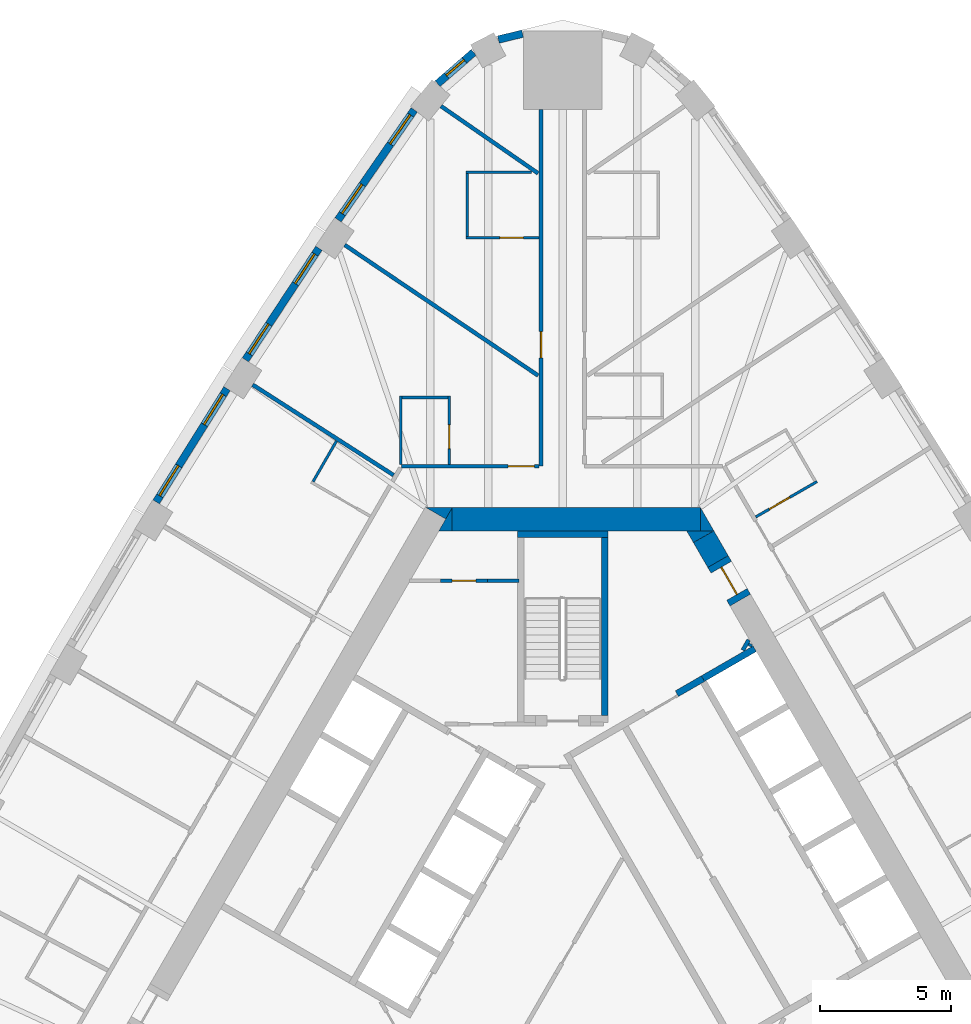
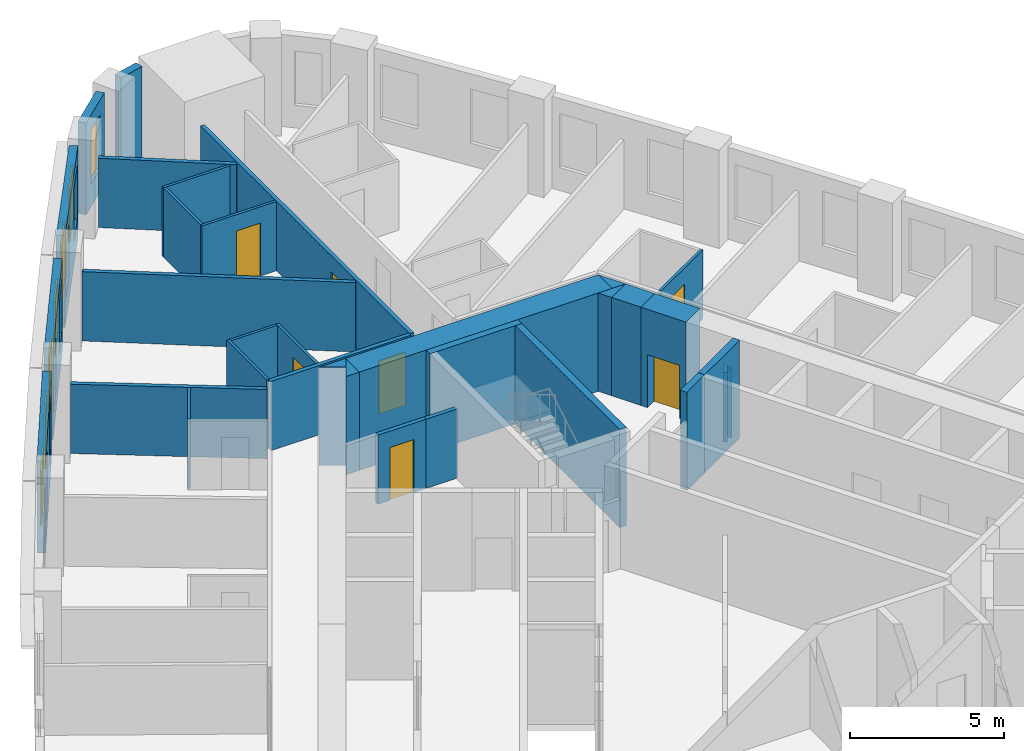
# One storey, part 10 of 13: 33 walls, 7 doors, 7 windows, 14 openings.
"""IFC4 building model written with IfcOpenShell, lengths in metres."""

from ifc_helpers import new_model, si_unit, direction, frame, frame_2d, origin, place, context, subcontext, project, spatial, polyline, rectangle, outline, extrude, material, layer, layer_set, type_object, element, fill, save


model = new_model("IFC4")

# Units and contexts
model_context = context("Model", 3, precision=1e-05, world=origin(), true_north=direction((0.0, 1.0)))
body_context = subcontext(model_context, "Body", "Model", "MODEL_VIEW")
ifc_project = project(units=[si_unit("LENGTHUNIT", "METRE"), si_unit("AREAUNIT", "SQUARE_METRE"), si_unit("VOLUMEUNIT", "CUBIC_METRE"), si_unit("PLANEANGLEUNIT", "RADIAN"), si_unit("MASSUNIT", "GRAM", prefix="KILO")], contexts=[model_context])

# Site, building, storey
site_placement = place(None, origin())
site = spatial("IfcSite", under=ifc_project, at=site_placement, CompositionType="ELEMENT")
building_placement = place(site_placement, origin())
building = spatial("IfcBuilding", under=site, at=building_placement, Name="Mestral Congress Tower", CompositionType="ELEMENT")
storey_placement = place(building_placement, frame((0.0, 0.0, 87.60009765625)))
storey = spatial("IfcBuildingStorey", under=building, at=storey_placement, Name="L20", CompositionType="ELEMENT", Elevation=87.60009765625)

# Walls
ifc_material_1 = material(Name="Fire-rated board partition")
ifc_layer_1 = layer(ifc_material_1, 0.14990234375)
ifc_layer_set_1 = layer_set([ifc_layer_1], Name="Fire-rated board partition")
wall_type_1 = type_object("IfcWallType", Name="Core partition 150", PredefinedType="PARTITIONING", material=ifc_layer_set_1)
wall_1_placement = place(storey_placement, frame((-2.87060546875, 14.10205078125, 0.0), z_axis=(0.0, 0.0, 1.0), x_axis=(1.0, 0.0, 0.0)))
element("IfcWall", 1, at=wall_1_placement, inside=storey, type_object=wall_type_1, Name="L20 core wall", PredefinedType="PARTITIONING", context=body_context, shape_type="SweptSolid", body=[
    extrude(rectangle(XDim=1.195556640625, YDim=0.14990234375, at=frame_2d((0.59765625, 0.0))), origin(), (0.0, 0.0, 1.0), 2.75),
])
wall_2_placement = place(storey_placement, frame((6.87158203125, 11.44970703125, 0.0), z_axis=(0.0, 0.0, 1.0), x_axis=(0.499846793097, 0.866113839764, 0.0)))
element("IfcWall", 2, at=wall_2_placement, inside=storey, type_object=wall_type_1, Name="L20 core wall", PredefinedType="PARTITIONING", context=body_context, shape_type="SweptSolid", body=[
    extrude(rectangle(XDim=0.453369140625, YDim=0.14990234375, at=frame_2d((0.2265625, 0.0))), origin(), (0.0, 0.0, 1.0), 2.75),
])
wall_3_placement = place(storey_placement, frame((7.13134765625, 11.599609375, 0.0), z_axis=(0.0, 0.0, 1.0), x_axis=(0.498600033135, 0.866832167699, 0.0)))
element("IfcWall", 3, at=wall_3_placement, inside=storey, type_object=wall_type_1, Name="L20 core wall", PredefinedType="PARTITIONING", context=body_context, shape_type="SweptSolid", body=[
    extrude(rectangle(XDim=0.106689453125, YDim=0.14990234375, at=frame_2d((0.05322265625, 0.0))), origin(), (0.0, 0.0, 1.0), 2.75),
])

# Wall, opening, door
wall_4_placement = place(storey_placement, frame((-2.870849609375, 14.10205078125, 0.0), z_axis=(0.0, 0.0, 1.0), x_axis=(-1.0, 0.0, 0.0)))
wall_4 = element("IfcWall", 4, at=wall_4_placement, inside=storey, type_object=wall_type_1, Name="L20 door wall", PredefinedType="PARTITIONING", context=body_context, shape_type="SweptSolid", body=[
    extrude(rectangle(XDim=1.800048828125, YDim=0.14990234375, at=frame_2d((0.89990234375, 0.0))), origin(), (0.0, 0.0, 1.0), 2.75),
])
opening_1_placement = place(wall_4_placement, frame((0.449951171875, 0.0, 0.0)))
opening_1 = element("IfcOpeningElement", 5, at=opening_1_placement, cuts=wall_4, Name="Opening SD-WS2", PredefinedType="OPENING", context=body_context, shape_type="SweptSolid", body=[
    extrude(rectangle(XDim=0.89990234375, YDim=2.10009765625, at=frame_2d((0.449951171875, 1.050048828125))), frame((0.0, 0.0849609375, 0.0), z_axis=(0.0, -1.0, 0.0), x_axis=(1.0, 0.0, 0.0)), (0.0, 0.0, 1.0), 0.169921875),
])
ifc_material_2 = material(Name="Fire-rated steel door set", Category="steel")
door_type_1 = type_object("IfcDoorType", Name="Core door SR 900x2100", OperationType="SINGLE_SWING_LEFT", PredefinedType="DOOR", material=ifc_material_2)
door_1_placement = place(opening_1_placement, origin())
door_1 = element("IfcDoor", 6, at=door_1_placement, inside=storey, type_object=door_type_1, Name="Door SD-WS2", OperationType="SINGLE_SWING_LEFT", OverallHeight=2.10009765625, OverallWidth=0.89990234375, PredefinedType="DOOR", context=body_context, shape_type="SweptSolid", body=[
    extrude(rectangle(XDim=0.89990234375, YDim=2.10009765625, at=frame_2d((0.449951171875, 1.050048828125))), frame((0.0, 0.02490234375, 0.0), z_axis=(0.0, -1.0, 0.0), x_axis=(1.0, 0.0, 0.0)), (0.0, 0.0, 1.0), 0.050048828125),
])
fill(opening_1, door_1)

# Walls
ifc_material_3 = material(Name="Concrete C60/75", Category="concrete")
ifc_layer_2 = layer(ifc_material_3, 0.89990234375)
ifc_layer_set_2 = layer_set([ifc_layer_2], Name="Concrete C60/75")
wall_type_2 = type_object("IfcWallType", Name="Core wall RC 900", PredefinedType="SOLIDWALL", material=ifc_layer_set_2)
placement = place(storey_placement, origin())
element("IfcWall", 7, at=placement, inside=storey, type_object=wall_type_2, Name="L20 core wall", PredefinedType="SOLIDWALL", context=body_context, shape_type="SweptSolid", body=[
    extrude(outline(polyline([(-4.214599609375, 16.89990234375), (-4.46875, 16.460205078125), (-5.230712890625, 16.89990234375), (-4.214599609375, 16.89990234375)])), origin(), (0.0, 0.0, 1.0), 3.89990234375),
])
wall_6_placement = place(storey_placement, frame((-4.224365234375, 16.449951171875, 0.0), z_axis=(0.0, 0.0, 1.0), x_axis=(1.0, 0.0, 0.0)))
element("IfcWall", 8, at=wall_6_placement, inside=storey, type_object=wall_type_2, Name="L20 core wall", PredefinedType="SOLIDWALL", context=body_context, shape_type="SweptSolid", body=[
    extrude(rectangle(XDim=9.48779296875, YDim=0.89990234375, at=frame_2d((4.743896484375, 0.0))), origin(), (0.0, 0.0, 1.0), 3.89990234375),
])
element("IfcWall", 9, at=placement, inside=storey, type_object=wall_type_2, Name="L20 core wall", PredefinedType="SOLIDWALL", context=body_context, shape_type="SweptSolid", body=[
    extrude(outline(polyline([(5.265380859375, 16.0), (5.265380859375, 16.8798828125), (5.7734375, 16.0), (5.265380859375, 16.0)])), origin(), (0.0, 0.0, 1.0), 3.89990234375),
])
element("IfcWall", 10, at=placement, inside=storey, type_object=wall_type_2, Name="L20 core wall", PredefinedType="SOLIDWALL", context=body_context, shape_type="SweptSolid", body=[
    extrude(outline(polyline([(-4.734375, 16.0), (-4.226318359375, 16.8798828125), (-4.226318359375, 16.0), (-4.734375, 16.0)])), origin(), (0.0, 0.0, 1.0), 3.89990234375),
])
wall_9_placement = place(storey_placement, frame((5.92578125, 14.836181640625, 0.0), z_axis=(0.0, 0.0, 1.0), x_axis=(-0.500076735116, 0.865981096212, 0.0)))
element("IfcWall", 11, at=wall_9_placement, inside=storey, type_object=wall_type_2, Name="L20 core wall", PredefinedType="SOLIDWALL", context=body_context, shape_type="SweptSolid", body=[
    extrude(rectangle(XDim=1.093505859375, YDim=0.89990234375, at=frame_2d((0.546875, 0.0))), origin(), (0.0, 0.0, 1.0), 3.89990234375),
])
element("IfcWall", 12, at=placement, inside=storey, type_object=wall_type_2, Name="L20 core wall", PredefinedType="SOLIDWALL", context=body_context, shape_type="SweptSolid", body=[
    extrude(outline(polyline([(4.734375, 16.0), (5.750244140625, 16.0), (4.98828125, 15.56005859375), (4.734375, 16.0)])), origin(), (0.0, 0.0, 1.0), 3.89990234375),
])

# Wall, opening, door
wall_11_placement = place(storey_placement, frame((5.92578125, 14.836181640625, 0.0), z_axis=(0.0, 0.0, 1.0), x_axis=(0.500062241894, -0.865989465428, 0.0)))
wall_11 = element("IfcWall", 13, at=wall_11_placement, inside=storey, type_object=wall_type_2, Name="L20 door wall", PredefinedType="SOLIDWALL", context=body_context, shape_type="SweptSolid", body=[
    extrude(rectangle(XDim=1.699951171875, YDim=0.89990234375, at=frame_2d((0.85009765625, 0.0))), origin(), (0.0, 0.0, 1.0), 3.89990234375),
])
opening_2_placement = place(wall_11_placement, frame((0.25, 0.0, 0.0)))
opening_2 = element("IfcOpeningElement", 14, at=opening_2_placement, cuts=wall_11, Name="Opening XD2", PredefinedType="OPENING", context=body_context, shape_type="SweptSolid", body=[
    extrude(rectangle(XDim=1.199951171875, YDim=2.10009765625, at=frame_2d((0.60009765625, 1.050048828125))), frame((0.0, 0.4599609375, 0.0), z_axis=(0.0, -1.0, 0.0), x_axis=(1.0, 0.0, 0.0)), (0.0, 0.0, 1.0), 0.919921875),
])
door_type_2 = type_object("IfcDoorType", Name="Core door XD 1200x2100", OperationType="SINGLE_SWING_LEFT", PredefinedType="DOOR", material=ifc_material_2)
door_2_placement = place(opening_2_placement, origin())
door_2 = element("IfcDoor", 15, at=door_2_placement, inside=storey, type_object=door_type_2, Name="Door XD2", OperationType="SINGLE_SWING_LEFT", OverallHeight=2.10009765625, OverallWidth=1.199951171875, PredefinedType="DOOR", context=body_context, shape_type="SweptSolid", body=[
    extrude(rectangle(XDim=1.199951171875, YDim=2.10009765625, at=frame_2d((0.60009765625, 1.050048828125))), frame((0.0, 0.02490234375, 0.0), z_axis=(0.0, -1.0, 0.0), x_axis=(1.0, 0.0, 0.0)), (0.0, 0.0, 1.0), 0.050048828125),
])
fill(opening_2, door_2)

# Wall
ifc_material_4 = material(Name="Precast concrete C40/50 with limestone facing", Category="masonry")
ifc_layer_3 = layer(ifc_material_4, 0.2900390625)
ifc_layer_set_3 = layer_set([ifc_layer_3], Name="Precast concrete C40/50 with limestone facing")
wall_type_3 = type_object("IfcWallType", Name="Facade stone wall 290", PredefinedType="SOLIDWALL", material=ifc_layer_set_3)
wall_12_placement = place(storey_placement, frame((-1.53515625, 34.9892578125, 0.0), z_axis=(0.0, 0.0, 1.0), x_axis=(-0.971713991574, -0.236160789674, 0.0)))
element("IfcWall", 16, at=wall_12_placement, inside=storey, type_object=wall_type_3, Name="Facade wall K1-2", PredefinedType="SOLIDWALL", context=body_context, shape_type="SweptSolid", body=[
    extrude(rectangle(XDim=0.947021484375, YDim=0.2900390625, at=frame_2d((0.4736328125, 0.0))), origin(), (0.0, 0.0, 1.0), 3.64990234375),
])

# Wall, opening, window
wall_13_placement = place(storey_placement, frame((-3.404541015625, 34.275390625, 0.0), z_axis=(0.0, 0.0, 1.0), x_axis=(-0.754882764627, -0.655859749999, 0.0)))
wall_13 = element("IfcWall", 17, at=wall_13_placement, inside=storey, type_object=wall_type_3, Name="Facade wall K1-3", PredefinedType="SOLIDWALL", context=body_context, shape_type="SweptSolid", body=[
    extrude(rectangle(XDim=1.819580078125, YDim=0.2900390625, at=frame_2d((0.90966796875, 0.0))), origin(), (0.0, 0.0, 1.0), 3.64990234375),
])
opening_3_placement = place(wall_13_placement, frame((0.459716796875, 0.0, 0.89990234375)))
opening_3 = element("IfcOpeningElement", 18, at=opening_3_placement, cuts=wall_13, Name="Opening W3", PredefinedType="OPENING", context=body_context, shape_type="SweptSolid", body=[
    extrude(rectangle(XDim=0.89990234375, YDim=2.14990234375, at=frame_2d((0.449951171875, 1.074951171875))), frame((0.0, 0.155029296875, 0.0), z_axis=(0.0, -1.0, 0.0), x_axis=(1.0, 0.0, 0.0)), (0.0, 0.0, 1.0), 0.31005859375),
])
ifc_material_5 = material(Name="Clear low-emissivity double glazing", Category="glass")
window_type_1 = type_object("IfcWindowType", Name="Facade punched window 900 x 2150 sill 900", PartitioningType="SINGLE_PANEL", PredefinedType="WINDOW", material=ifc_material_5)
window_1_placement = place(opening_3_placement, origin())
window_1 = element("IfcWindow", 19, at=window_1_placement, inside=storey, type_object=window_type_1, Name="Window K1-3", OverallHeight=2.14990234375, OverallWidth=0.89990234375, PartitioningType="SINGLE_PANEL", PredefinedType="WINDOW", context=body_context, shape_type="SweptSolid", body=[
    extrude(rectangle(XDim=0.89990234375, YDim=2.14990234375, at=frame_2d((0.449951171875, 1.074951171875))), frame((0.0, 0.01513671875, 0.0), z_axis=(0.0, -1.0, 0.0), x_axis=(1.0, 0.0, 0.0)), (0.0, 0.0, 1.0), 0.06005859375),
])
fill(opening_3, window_1)

# Wall, openings, windows
wall_14_placement = place(storey_placement, frame((-5.67333984375, 32.0810546875, 0.0), z_axis=(0.0, 0.0, 1.0), x_axis=(-0.569113019126, -0.822259309136, 0.0)))
wall_14 = element("IfcWall", 20, at=wall_14_placement, inside=storey, type_object=wall_type_3, Name="Facade wall F2-00", PredefinedType="SOLIDWALL", context=body_context, shape_type="SweptSolid", body=[
    extrude(rectangle(XDim=5.106689453125, YDim=0.2900390625, at=frame_2d((2.55322265625, 0.0))), origin(), (0.0, 0.0, 1.0), 3.64990234375),
])
opening_4_placement = place(wall_14_placement, frame((0.240478515625, 0.0, 0.89990234375)))
opening_4 = element("IfcOpeningElement", 21, at=opening_4_placement, cuts=wall_14, Name="Opening W2", PredefinedType="OPENING", context=body_context, shape_type="SweptSolid", body=[
    extrude(rectangle(XDim=1.35009765625, YDim=2.14990234375, at=frame_2d((0.675048828125, 1.074951171875))), frame((0.0, 0.155029296875, 0.0), z_axis=(0.0, -1.0, 0.0), x_axis=(1.0, 0.0, 0.0)), (0.0, 0.0, 1.0), 0.31005859375),
])
opening_5_placement = place(wall_14_placement, frame((3.47119140625, 0.0, 0.89990234375)))
opening_5 = element("IfcOpeningElement", 22, at=opening_5_placement, cuts=wall_14, Name="Opening W2", PredefinedType="OPENING", context=body_context, shape_type="SweptSolid", body=[
    extrude(rectangle(XDim=1.35009765625, YDim=2.14990234375, at=frame_2d((0.675048828125, 1.074951171875))), frame((0.0, 0.155029296875, 0.0), z_axis=(0.0, -1.0, 0.0), x_axis=(1.0, 0.0, 0.0)), (0.0, 0.0, 1.0), 0.31005859375),
])
window_type_2 = type_object("IfcWindowType", Name="Facade punched window 1350 x 2150 sill 900", PartitioningType="DOUBLE_PANEL_VERTICAL", PredefinedType="WINDOW", material=ifc_material_5)
window_2_placement = place(opening_4_placement, origin())
window_2 = element("IfcWindow", 23, at=window_2_placement, inside=storey, type_object=window_type_2, Name="Window F2-00a", OverallHeight=2.14990234375, OverallWidth=1.35009765625, PartitioningType="DOUBLE_PANEL_VERTICAL", PredefinedType="WINDOW", context=body_context, shape_type="SweptSolid", body=[
    extrude(rectangle(XDim=1.35009765625, YDim=2.14990234375, at=frame_2d((0.675048828125, 1.074951171875))), frame((0.0, 0.01513671875, 0.0), z_axis=(0.0, -1.0, 0.0), x_axis=(1.0, 0.0, 0.0)), (0.0, 0.0, 1.0), 0.06005859375),
])
fill(opening_4, window_2)
window_3_placement = place(opening_5_placement, origin())
window_3 = element("IfcWindow", 24, at=window_3_placement, inside=storey, type_object=window_type_2, Name="Window F2-00b", OverallHeight=2.14990234375, OverallWidth=1.35009765625, PartitioningType="DOUBLE_PANEL_VERTICAL", PredefinedType="WINDOW", context=body_context, shape_type="SweptSolid", body=[
    extrude(rectangle(XDim=1.35009765625, YDim=2.14990234375, at=frame_2d((0.675048828125, 1.074951171875))), frame((0.0, 0.01513671875, 0.0), z_axis=(0.0, -1.0, 0.0), x_axis=(1.0, 0.0, 0.0)), (0.0, 0.0, 1.0), 0.06005859375),
])
fill(opening_5, window_3)

wall_15_placement = place(storey_placement, frame((-9.310791015625, 26.799072265625, 0.0), z_axis=(0.0, 0.0, 1.0), x_axis=(-0.549741341923, -0.835334937005, 0.0)))
wall_15 = element("IfcWall", 25, at=wall_15_placement, inside=storey, type_object=wall_type_3, Name="Facade wall F2-01", PredefinedType="SOLIDWALL", context=body_context, shape_type="SweptSolid", body=[
    extrude(rectangle(XDim=5.10009765625, YDim=0.2900390625, at=frame_2d((2.550048828125, 0.0))), origin(), (0.0, 0.0, 1.0), 3.64990234375),
])
opening_6_placement = place(wall_15_placement, frame((0.272705078125, 0.0, 0.89990234375)))
opening_6 = element("IfcOpeningElement", 26, at=opening_6_placement, cuts=wall_15, Name="Opening W2", PredefinedType="OPENING", context=body_context, shape_type="SweptSolid", body=[
    extrude(rectangle(XDim=1.35009765625, YDim=2.14990234375, at=frame_2d((0.675048828125, 1.074951171875))), frame((0.0, 0.155029296875, 0.0), z_axis=(0.0, -1.0, 0.0), x_axis=(1.0, 0.0, 0.0)), (0.0, 0.0, 1.0), 0.31005859375),
])
opening_7_placement = place(wall_15_placement, frame((3.477783203125, 0.0, 0.89990234375)))
opening_7 = element("IfcOpeningElement", 27, at=opening_7_placement, cuts=wall_15, Name="Opening W2", PredefinedType="OPENING", context=body_context, shape_type="SweptSolid", body=[
    extrude(rectangle(XDim=1.35009765625, YDim=2.14990234375, at=frame_2d((0.675048828125, 1.074951171875))), frame((0.0, 0.155029296875, 0.0), z_axis=(0.0, -1.0, 0.0), x_axis=(1.0, 0.0, 0.0)), (0.0, 0.0, 1.0), 0.31005859375),
])
window_4_placement = place(opening_6_placement, origin())
window_4 = element("IfcWindow", 28, at=window_4_placement, inside=storey, type_object=window_type_2, Name="Window F2-01a", OverallHeight=2.14990234375, OverallWidth=1.35009765625, PartitioningType="DOUBLE_PANEL_VERTICAL", PredefinedType="WINDOW", context=body_context, shape_type="SweptSolid", body=[
    extrude(rectangle(XDim=1.35009765625, YDim=2.14990234375, at=frame_2d((0.675048828125, 1.074951171875))), frame((0.0, 0.01513671875, 0.0), z_axis=(0.0, -1.0, 0.0), x_axis=(1.0, 0.0, 0.0)), (0.0, 0.0, 1.0), 0.06005859375),
])
fill(opening_6, window_4)
window_5_placement = place(opening_7_placement, origin())
window_5 = element("IfcWindow", 29, at=window_5_placement, inside=storey, type_object=window_type_2, Name="Window F2-01b", OverallHeight=2.14990234375, OverallWidth=1.35009765625, PartitioningType="DOUBLE_PANEL_VERTICAL", PredefinedType="WINDOW", context=body_context, shape_type="SweptSolid", body=[
    extrude(rectangle(XDim=1.35009765625, YDim=2.14990234375, at=frame_2d((0.675048828125, 1.074951171875))), frame((0.0, 0.01513671875, 0.0), z_axis=(0.0, -1.0, 0.0), x_axis=(1.0, 0.0, 0.0)), (0.0, 0.0, 1.0), 0.06005859375),
])
fill(opening_7, window_5)

wall_16_placement = place(storey_placement, frame((-12.820068359375, 21.43896484375, 0.0), z_axis=(0.0, 0.0, 1.0), x_axis=(-0.530072082134, -0.847952585787, 0.0)))
wall_16 = element("IfcWall", 30, at=wall_16_placement, inside=storey, type_object=wall_type_3, Name="Facade wall F2-02", PredefinedType="SOLIDWALL", context=body_context, shape_type="SweptSolid", body=[
    extrude(rectangle(XDim=5.100341796875, YDim=0.2900390625, at=frame_2d((2.55029296875, 0.0))), origin(), (0.0, 0.0, 1.0), 3.64990234375),
])
opening_8_placement = place(wall_16_placement, frame((0.272705078125, 0.0, 0.89990234375)))
opening_8 = element("IfcOpeningElement", 31, at=opening_8_placement, cuts=wall_16, Name="Opening W2", PredefinedType="OPENING", context=body_context, shape_type="SweptSolid", body=[
    extrude(rectangle(XDim=1.35009765625, YDim=2.14990234375, at=frame_2d((0.675048828125, 1.074951171875))), frame((0.0, 0.155029296875, 0.0), z_axis=(0.0, -1.0, 0.0), x_axis=(1.0, 0.0, 0.0)), (0.0, 0.0, 1.0), 0.31005859375),
])
opening_9_placement = place(wall_16_placement, frame((3.477783203125, 0.0, 0.89990234375)))
opening_9 = element("IfcOpeningElement", 32, at=opening_9_placement, cuts=wall_16, Name="Opening W2", PredefinedType="OPENING", context=body_context, shape_type="SweptSolid", body=[
    extrude(rectangle(XDim=1.35009765625, YDim=2.14990234375, at=frame_2d((0.675048828125, 1.074951171875))), frame((0.0, 0.155029296875, 0.0), z_axis=(0.0, -1.0, 0.0), x_axis=(1.0, 0.0, 0.0)), (0.0, 0.0, 1.0), 0.31005859375),
])
window_6_placement = place(opening_8_placement, origin())
window_6 = element("IfcWindow", 33, at=window_6_placement, inside=storey, type_object=window_type_2, Name="Window F2-02a", OverallHeight=2.14990234375, OverallWidth=1.35009765625, PartitioningType="DOUBLE_PANEL_VERTICAL", PredefinedType="WINDOW", context=body_context, shape_type="SweptSolid", body=[
    extrude(rectangle(XDim=1.35009765625, YDim=2.14990234375, at=frame_2d((0.675048828125, 1.074951171875))), frame((0.0, 0.01513671875, 0.0), z_axis=(0.0, -1.0, 0.0), x_axis=(1.0, 0.0, 0.0)), (0.0, 0.0, 1.0), 0.06005859375),
])
fill(opening_8, window_6)
window_7_placement = place(opening_9_placement, origin())
window_7 = element("IfcWindow", 34, at=window_7_placement, inside=storey, type_object=window_type_2, Name="Window F2-02b", OverallHeight=2.14990234375, OverallWidth=1.35009765625, PartitioningType="DOUBLE_PANEL_VERTICAL", PredefinedType="WINDOW", context=body_context, shape_type="SweptSolid", body=[
    extrude(rectangle(XDim=1.35009765625, YDim=2.14990234375, at=frame_2d((0.675048828125, 1.074951171875))), frame((0.0, 0.01513671875, 0.0), z_axis=(0.0, -1.0, 0.0), x_axis=(1.0, 0.0, 0.0)), (0.0, 0.0, 1.0), 0.06005859375),
])
fill(opening_9, window_7)

# Wall, opening, door
ifc_material_6 = material(Name="Gypsum board partition on metal studs with mineral wool", Category="composite")
ifc_layer_4 = layer(ifc_material_6, 0.10009765625)
ifc_layer_set_4 = layer_set([ifc_layer_4], Name="Gypsum board partition on metal studs with mineral wool")
wall_type_4 = type_object("IfcWallType", Name="Hotel partition wall 100", PredefinedType="PARTITIONING", material=ifc_layer_set_4)
wall_17_placement = place(storey_placement, frame((7.3681640625, 16.5380859375, 0.0), z_axis=(0.0, 0.0, 1.0), x_axis=(0.866036505625, 0.499980770555, 0.0)))
wall_17 = element("IfcWall", 35, at=wall_17_placement, inside=storey, type_object=wall_type_4, Name="L20-h-pod16a", PredefinedType="PARTITIONING", context=body_context, shape_type="SweptSolid", body=[
    extrude(rectangle(XDim=2.69970703125, YDim=0.10009765625, at=frame_2d((1.349853515625, 0.0))), origin(), (0.0, 0.0, 1.0), 2.75),
])
opening_10_placement = place(wall_17_placement, frame((0.60009765625, 0.0, 0.0)))
opening_10 = element("IfcOpeningElement", 36, at=opening_10_placement, cuts=wall_17, Name="Opening H06-030", PredefinedType="OPENING", context=body_context, shape_type="SweptSolid", body=[
    extrude(rectangle(XDim=0.89990234375, YDim=2.10009765625, at=frame_2d((0.449951171875, 1.050048828125))), frame((0.0, 0.06005859375, 0.0), z_axis=(0.0, -1.0, 0.0), x_axis=(1.0, 0.0, 0.0)), (0.0, 0.0, 1.0), 0.1201171875),
])
ifc_material_7 = material(Name="Timber veneer door leaf in timber frame", Category="wood")
door_type_3 = type_object("IfcDoorType", Name="Bathroom door 900", OperationType="SINGLE_SWING_LEFT", PredefinedType="DOOR", material=ifc_material_7)
door_3_placement = place(opening_10_placement, origin())
door_3 = element("IfcDoor", 37, at=door_3_placement, inside=storey, type_object=door_type_3, Name="L20-h-d030", OperationType="SINGLE_SWING_LEFT", OverallHeight=2.10009765625, OverallWidth=0.89990234375, PredefinedType="DOOR", context=body_context, shape_type="SweptSolid", body=[
    extrude(rectangle(XDim=0.89990234375, YDim=2.10009765625, at=frame_2d((0.449951171875, 1.050048828125))), frame((0.0, 0.02490234375, 0.0), z_axis=(0.0, -1.0, 0.0), x_axis=(1.0, 0.0, 0.0)), (0.0, 0.0, 1.0), 0.050048828125),
])
fill(opening_10, door_3)

wall_18_placement = place(storey_placement, frame((-3.699951171875, 27.197998046875, 0.0), z_axis=(0.0, 0.0, 1.0), x_axis=(1.0, 0.0, 0.0)))
wall_18 = element("IfcWall", 38, at=wall_18_placement, inside=storey, type_object=wall_type_4, Name="L20-h-pod19a", PredefinedType="PARTITIONING", context=body_context, shape_type="SweptSolid", body=[
    extrude(rectangle(XDim=2.800048828125, YDim=0.10009765625, at=frame_2d((1.39990234375, 0.0))), origin(), (0.0, 0.0, 1.0), 2.75),
])
opening_11_placement = place(wall_18_placement, frame((1.300048828125, 0.0, 0.0)))
opening_11 = element("IfcOpeningElement", 39, at=opening_11_placement, cuts=wall_18, Name="Opening H06-036", PredefinedType="OPENING", context=body_context, shape_type="SweptSolid", body=[
    extrude(rectangle(XDim=0.89990234375, YDim=2.10009765625, at=frame_2d((0.449951171875, 1.050048828125))), frame((0.0, 0.06005859375, 0.0), z_axis=(0.0, -1.0, 0.0), x_axis=(1.0, 0.0, 0.0)), (0.0, 0.0, 1.0), 0.1201171875),
])
door_4_placement = place(opening_11_placement, origin())
door_4 = element("IfcDoor", 40, at=door_4_placement, inside=storey, type_object=door_type_3, Name="L20-h-d036", OperationType="SINGLE_SWING_LEFT", OverallHeight=2.10009765625, OverallWidth=0.89990234375, PredefinedType="DOOR", context=body_context, shape_type="SweptSolid", body=[
    extrude(rectangle(XDim=0.89990234375, YDim=2.10009765625, at=frame_2d((0.449951171875, 1.050048828125))), frame((0.0, 0.02490234375, 0.0), z_axis=(0.0, -1.0, 0.0), x_axis=(1.0, 0.0, 0.0)), (0.0, 0.0, 1.0), 0.050048828125),
])
fill(opening_11, door_4)

# Walls
wall_19_placement = place(storey_placement, frame((-3.64990234375, 27.248046875, 0.0), z_axis=(0.0, 0.0, 1.0), x_axis=(0.0, 1.0, 0.0)))
element("IfcWall", 41, at=wall_19_placement, inside=storey, type_object=wall_type_4, Name="L20-h-pod19b", PredefinedType="PARTITIONING", context=body_context, shape_type="SweptSolid", body=[
    extrude(rectangle(XDim=2.39990234375, YDim=0.10009765625, at=frame_2d((1.199951171875, 0.0))), origin(), (0.0, 0.0, 1.0), 2.75),
])
wall_20_placement = place(storey_placement, frame((-1.199951171875, 29.697998046875, 0.0), z_axis=(0.0, 0.0, 1.0), x_axis=(-1.0, 0.0, 0.0)))
element("IfcWall", 42, at=wall_20_placement, inside=storey, type_object=wall_type_4, Name="L20-h-pod19c", PredefinedType="PARTITIONING", context=body_context, shape_type="SweptSolid", body=[
    extrude(rectangle(XDim=2.5, YDim=0.10009765625, at=frame_2d((1.25, 0.0))), origin(), (0.0, 0.0, 1.0), 2.75),
])

# Wall, opening, door
wall_21_placement = place(storey_placement, frame((-4.333251953125, 18.550048828125, 0.0), z_axis=(0.0, 0.0, 1.0), x_axis=(0.0, 1.0, 0.0)))
wall_21 = element("IfcWall", 43, at=wall_21_placement, inside=storey, type_object=wall_type_4, Name="L20-h-pod20a", PredefinedType="PARTITIONING", context=body_context, shape_type="SweptSolid", body=[
    extrude(rectangle(XDim=2.599853515625, YDim=0.10009765625, at=frame_2d((1.2998046875, 0.0))), origin(), (0.0, 0.0, 1.0), 2.75),
])
opening_12_placement = place(wall_21_placement, frame((0.60009765625, 0.0, 0.0)))
opening_12 = element("IfcOpeningElement", 44, at=opening_12_placement, cuts=wall_21, Name="Opening H06-038", PredefinedType="OPENING", context=body_context, shape_type="SweptSolid", body=[
    extrude(rectangle(XDim=0.89990234375, YDim=2.10009765625, at=frame_2d((0.449951171875, 1.050048828125))), frame((0.0, 0.06005859375, 0.0), z_axis=(0.0, -1.0, 0.0), x_axis=(1.0, 0.0, 0.0)), (0.0, 0.0, 1.0), 0.1201171875),
])
door_5_placement = place(opening_12_placement, origin())
door_5 = element("IfcDoor", 45, at=door_5_placement, inside=storey, type_object=door_type_3, Name="L20-h-d038", OperationType="SINGLE_SWING_LEFT", OverallHeight=2.10009765625, OverallWidth=0.89990234375, PredefinedType="DOOR", context=body_context, shape_type="SweptSolid", body=[
    extrude(rectangle(XDim=0.89990234375, YDim=2.10009765625, at=frame_2d((0.449951171875, 1.050048828125))), frame((0.0, 0.02490234375, 0.0), z_axis=(0.0, -1.0, 0.0), x_axis=(1.0, 0.0, 0.0)), (0.0, 0.0, 1.0), 0.050048828125),
])
fill(opening_12, door_5)

# Walls
wall_22_placement = place(storey_placement, frame((-4.38330078125, 21.10009765625, 0.0), z_axis=(0.0, 0.0, 1.0), x_axis=(-1.0, 0.0, 0.0)))
element("IfcWall", 46, at=wall_22_placement, inside=storey, type_object=wall_type_4, Name="L20-h-pod20b", PredefinedType="PARTITIONING", context=body_context, shape_type="SweptSolid", body=[
    extrude(rectangle(XDim=1.75, YDim=0.10009765625, at=frame_2d((0.875, 0.0))), origin(), (0.0, 0.0, 1.0), 2.75),
])
wall_23_placement = place(storey_placement, frame((-6.18310546875, 18.550048828125, 0.0), z_axis=(0.0, 0.0, 1.0), x_axis=(0.0, 1.0, 0.0)))
element("IfcWall", 47, at=wall_23_placement, inside=storey, type_object=wall_type_4, Name="L20-h-pod20c", PredefinedType="PARTITIONING", context=body_context, shape_type="SweptSolid", body=[
    extrude(rectangle(XDim=2.599853515625, YDim=0.10009765625, at=frame_2d((1.2998046875, 0.0))), origin(), (0.0, 0.0, 1.0), 2.75),
])
wall_24_placement = place(storey_placement, frame((-9.534423828125, 17.885986328125, 0.0), z_axis=(0.0, 0.0, 1.0), x_axis=(0.500041240653, 0.866001592173, 0.0)))
element("IfcWall", 48, at=wall_24_placement, inside=storey, type_object=wall_type_4, Name="L20-h-pod21b", PredefinedType="PARTITIONING", context=body_context, shape_type="SweptSolid", body=[
    extrude(rectangle(XDim=1.789794921875, YDim=0.10009765625, at=frame_2d((0.89501953125, 0.0))), origin(), (0.0, 0.0, 1.0), 2.75),
])

# Wall, opening, door
ifc_layer_5 = layer(ifc_material_6, 0.14990234375)
ifc_layer_set_5 = layer_set([ifc_layer_5], Name="Gypsum board partition on metal studs with mineral wool")
wall_type_5 = type_object("IfcWallType", Name="Hotel partition wall 150", PredefinedType="PARTITIONING", material=ifc_layer_set_5)
wall_25_placement = place(storey_placement, frame((-0.824951171875, 18.47509765625, 0.0), z_axis=(0.0, 0.0, 1.0), x_axis=(0.0, 1.0, 0.0)))
wall_25 = element("IfcWall", 49, at=wall_25_placement, inside=storey, type_object=wall_type_5, Name="L20-h-cw06", PredefinedType="PARTITIONING", context=body_context, shape_type="SweptSolid", body=[
    extrude(rectangle(XDim=13.623291015625, YDim=0.14990234375, at=frame_2d((6.8115234375, 0.0))), origin(), (0.0, 0.0, 1.0), 2.75),
])
opening_13_placement = place(wall_25_placement, frame((4.13525390625, 0.0, 0.0)))
opening_13 = element("IfcOpeningElement", 50, at=opening_13_placement, cuts=wall_25, Name="Opening H06-035", PredefinedType="OPENING", context=body_context, shape_type="SweptSolid", body=[
    extrude(rectangle(XDim=1.0, YDim=2.10009765625, at=frame_2d((0.5, 1.050048828125))), frame((0.0, 0.0849609375, 0.0), z_axis=(0.0, -1.0, 0.0), x_axis=(1.0, 0.0, 0.0)), (0.0, 0.0, 1.0), 0.169921875),
])
ifc_material_8 = material(Name="Timber veneer door leaf in metal frame", Category="wood")
door_type_4 = type_object("IfcDoorType", Name="Guest room entrance door 1000", OperationType="SINGLE_SWING_LEFT", PredefinedType="DOOR", material=ifc_material_8)
door_6_placement = place(opening_13_placement, origin())
door_6 = element("IfcDoor", 51, at=door_6_placement, inside=storey, type_object=door_type_4, Name="L20-h-d035", OperationType="SINGLE_SWING_LEFT", OverallHeight=2.10009765625, OverallWidth=1.0, PredefinedType="DOOR", context=body_context, shape_type="SweptSolid", body=[
    extrude(rectangle(XDim=1.0, YDim=2.10009765625, at=frame_2d((0.5, 1.050048828125))), frame((0.0, 0.02490234375, 0.0), z_axis=(0.0, -1.0, 0.0), x_axis=(1.0, 0.0, 0.0)), (0.0, 0.0, 1.0), 0.050048828125),
])
fill(opening_13, door_6)

wall_26_placement = place(storey_placement, frame((-6.1630859375, 18.47509765625, 0.0), z_axis=(0.0, 0.0, 1.0), x_axis=(1.0, 0.0, 0.0)))
wall_26 = element("IfcWall", 52, at=wall_26_placement, inside=storey, type_object=wall_type_5, Name="L20-h-cw07", PredefinedType="PARTITIONING", context=body_context, shape_type="SweptSolid", body=[
    extrude(rectangle(XDim=5.258056640625, YDim=0.14990234375, at=frame_2d((2.62890625, 0.0))), origin(), (0.0, 0.0, 1.0), 2.75),
])
opening_14_placement = place(wall_26_placement, frame((4.078125, 0.0, 0.0)))
opening_14 = element("IfcOpeningElement", 53, at=opening_14_placement, cuts=wall_26, Name="Opening H06-037", PredefinedType="OPENING", context=body_context, shape_type="SweptSolid", body=[
    extrude(rectangle(XDim=1.0, YDim=2.10009765625, at=frame_2d((0.5, 1.050048828125))), frame((0.0, 0.0849609375, 0.0), z_axis=(0.0, -1.0, 0.0), x_axis=(1.0, 0.0, 0.0)), (0.0, 0.0, 1.0), 0.169921875),
])
door_7_placement = place(opening_14_placement, origin())
door_7 = element("IfcDoor", 54, at=door_7_placement, inside=storey, type_object=door_type_4, Name="L20-h-d037", OperationType="SINGLE_SWING_RIGHT", OverallHeight=2.10009765625, OverallWidth=1.0, PredefinedType="DOOR", context=body_context, shape_type="SweptSolid", body=[
    extrude(rectangle(XDim=1.0, YDim=2.10009765625, at=frame_2d((0.5, 1.050048828125))), frame((0.0, 0.02490234375, 0.0), z_axis=(0.0, -1.0, 0.0), x_axis=(1.0, 0.0, 0.0)), (0.0, 0.0, 1.0), 0.050048828125),
])
fill(opening_14, door_7)

# Walls
wall_27_placement = place(storey_placement, frame((-11.838134765625, 21.585205078125, 0.0), z_axis=(0.0, 0.0, 1.0), x_axis=(0.841699322813, -0.539946525108, 0.0)))
element("IfcWall", 55, at=wall_27_placement, inside=storey, type_object=wall_type_5, Name="L20-h-pw11", PredefinedType="PARTITIONING", context=body_context, shape_type="SweptSolid", body=[
    extrude(rectangle(XDim=6.3916015625, YDim=0.14990234375, at=frame_2d((3.19580078125, 0.0))), origin(), (0.0, 0.0, 1.0), 2.75),
])
wall_28_placement = place(storey_placement, frame((-8.32568359375, 26.922607421875, 0.0), z_axis=(0.0, 0.0, 1.0), x_axis=(0.828836601893, -0.5594907393, 0.0)))
element("IfcWall", 56, at=wall_28_placement, inside=storey, type_object=wall_type_5, Name="L20-h-pw13", PredefinedType="PARTITIONING", context=body_context, shape_type="SweptSolid", body=[
    extrude(rectangle(XDim=8.9091796875, YDim=0.14990234375, at=frame_2d((4.45458984375, 0.0))), origin(), (0.0, 0.0, 1.0), 2.75),
])
wall_29_placement = place(storey_placement, frame((-4.649169921875, 32.223388671875, 0.0), z_axis=(0.0, 0.0, 1.0), x_axis=(0.822262349475, -0.569108626394, 0.0)))
element("IfcWall", 57, at=wall_29_placement, inside=storey, type_object=wall_type_5, Name="L20-h-pw14", PredefinedType="PARTITIONING", context=body_context, shape_type="SweptSolid", body=[
    extrude(rectangle(XDim=4.509521484375, YDim=0.14990234375, at=frame_2d((2.2548828125, 0.0))), origin(), (0.0, 0.0, 1.0), 2.75),
])
ifc_layer_6 = layer(ifc_material_3, 0.25)
ifc_layer_set_6 = layer_set([ifc_layer_6], Name="Concrete C60/75")
wall_type_6 = type_object("IfcWallType", Name="Shaft wall RC 250", PredefinedType="SOLIDWALL", material=ifc_layer_set_6)
wall_30_placement = place(storey_placement, frame((4.3583984375, 9.791015625, 0.0), z_axis=(0.0, 0.0, 1.0), x_axis=(0.866079547155, 0.499906209203, 0.0)))
element("IfcWall", 58, at=wall_30_placement, inside=storey, type_object=wall_type_6, Name="L20 core wall", PredefinedType="SOLIDWALL", context=body_context, shape_type="SweptSolid", body=[
    extrude(rectangle(XDim=1.150146484375, YDim=0.25, at=frame_2d((0.5751953125, 0.0))), origin(), (0.0, 0.0, 1.0), 3.89990234375),
])
wall_31_placement = place(storey_placement, frame((5.356201171875, 10.366943359375, 0.0), z_axis=(0.0, 0.0, 1.0), x_axis=(0.865978535641, 0.50008116922, 0.0)))
element("IfcWall", 59, at=wall_31_placement, inside=storey, type_object=wall_type_6, Name="L20 core wall", PredefinedType="SOLIDWALL", context=body_context, shape_type="SweptSolid", body=[
    extrude(rectangle(XDim=2.27783203125, YDim=0.25, at=frame_2d((1.138916015625, 0.0))), origin(), (0.0, 0.0, 1.0), 3.89990234375),
])
ifc_layer_7 = layer(ifc_material_3, 0.25)
ifc_layer_set_7 = layer_set([ifc_layer_7], Name="Concrete C60/75")
wall_type_7 = type_object("IfcWallType", Name="Stair wall RC 250", PredefinedType="SOLIDWALL", material=ifc_layer_set_7)
wall_32_placement = place(storey_placement, frame((-1.72509765625, 15.875, 0.0), z_axis=(0.0, 0.0, 1.0), x_axis=(1.0, 0.0, 0.0)))
element("IfcWall", 60, at=wall_32_placement, inside=storey, type_object=wall_type_7, Name="L20 core wall", PredefinedType="SOLIDWALL", context=body_context, shape_type="SweptSolid", body=[
    extrude(rectangle(XDim=3.4501953125, YDim=0.25, at=frame_2d((1.72509765625, 0.0))), origin(), (0.0, 0.0, 1.0), 3.89990234375),
])
wall_33_placement = place(storey_placement, frame((1.60009765625, 8.949951171875, 0.0), z_axis=(0.0, 0.0, 1.0), x_axis=(0.0, 1.0, 0.0)))
element("IfcWall", 61, at=wall_33_placement, inside=storey, type_object=wall_type_7, Name="L20 core wall", PredefinedType="SOLIDWALL", context=body_context, shape_type="SweptSolid", body=[
    extrude(rectangle(XDim=6.800048828125, YDim=0.25, at=frame_2d((3.39990234375, 0.0))), origin(), (0.0, 0.0, 1.0), 3.89990234375),
])

save(model, "model.ifc")
